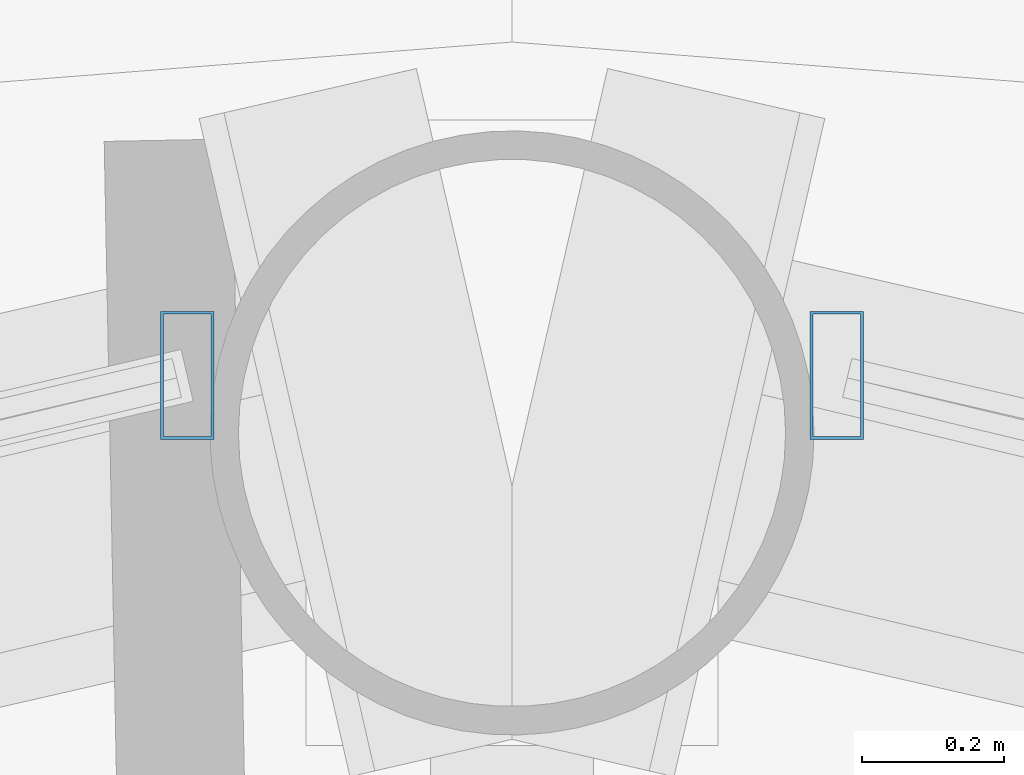
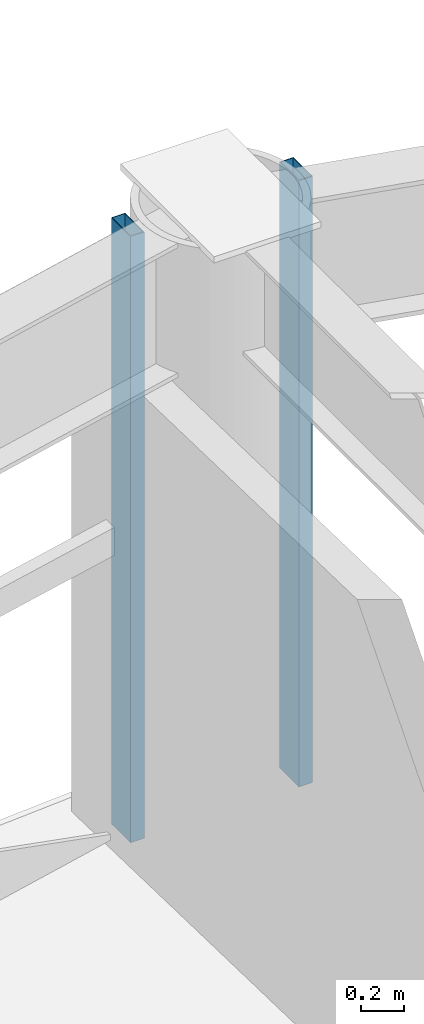
# One storey, part 17 of 33: 2 members, 2 elements without a shape of their own.
"""IFC4 building model written with IfcOpenShell, lengths in metres."""

from ifc_helpers import new_model, si_unit, direction, frame, origin, origin_2d, place, context, subcontext, project, spatial, hollow_rectangle, extrude, material, layer, layer_set, material_profile, profile_set, type_object, element, aggregate, save


model = new_model("IFC4")

# Units and contexts
model_context = context("Model", 3, precision=1e-05, world=origin(), true_north=direction((0.0, 1.0)))
body_context = subcontext(model_context, "Body", "Model", "MODEL_VIEW")
ifc_project = project(units=[si_unit("LENGTHUNIT", "METRE"), si_unit("AREAUNIT", "SQUARE_METRE"), si_unit("VOLUMEUNIT", "CUBIC_METRE"), si_unit("PLANEANGLEUNIT", "RADIAN"), si_unit("MASSUNIT", "GRAM", prefix="KILO")], contexts=[model_context])

# Site, building, storey
site_placement = place(None, origin())
site = spatial("IfcSite", under=ifc_project, at=site_placement, CompositionType="ELEMENT")
building_placement = place(site_placement, origin())
building = spatial("IfcBuilding", under=site, at=building_placement, Name="Vantalir Tower", CompositionType="ELEMENT")
storey_placement = place(building_placement, frame((0.0, 0.0, 72.0)))
storey = spatial("IfcBuildingStorey", under=building, at=storey_placement, Name="L17", CompositionType="ELEMENT", Elevation=72.0)

# Curtain wall, member
ifc_material_1 = material(Name="Champagne-silver PVDF aluminium and double-silver Low-E glass", Category="aluminium")
ifc_layer = layer(ifc_material_1, 0.18994140625)
ifc_layer_set = layer_set([ifc_layer], Name="Champagne-silver PVDF aluminium and double-silver Low-E glass")
curtain_wall_type = type_object("IfcCurtainWallType", Name="CW-DIAMOND-Z1", PredefinedType="USERDEFINED", material=ifc_layer_set)
curtain_wall_1_placement = place(storey_placement, origin())
curtain_wall_1 = element("IfcCurtainWall", 1, at=curtain_wall_1_placement, inside=storey, type_object=curtain_wall_type, Name="L17 Quilted Pyramid-Diamond Curtain Wall S03", ObjectType="UNITISED CURTAIN WALL", PredefinedType="USERDEFINED")
ifc_material_2 = material(Name="Champagne-silver PVDF aluminium 6063-T6", Category="aluminium")
ifc_material_profile = material_profile(ifc_material_2, hollow_rectangle(XDim=0.074951171875, YDim=0.179931640625, WallThickness=0.00390625, at=origin_2d()), Name="Champagne-silver PVDF aluminium 6063-T6")
ifc_profile_set = profile_set([ifc_material_profile], Name="Champagne-silver PVDF aluminium 6063-T6")
member_type = type_object("IfcMemberType", Name="CWM-180x75", PredefinedType="MULLION", material=ifc_profile_set)
member_1_placement = place(storey_placement, frame((31.95703125, 49.7099609375, 0.044921875), z_axis=(0.0, 0.0, 1.0), x_axis=(1.0, 0.0, 0.0)))
member_1 = element("IfcMember", 2, at=member_1_placement, type_object=member_type, Name="CW-L17-S03 Mullion 2", PredefinedType="MULLION", context=body_context, shape_type="SweptSolid", body=[
    extrude(hollow_rectangle(XDim=0.074951171875, YDim=0.179931640625, WallThickness=0.00390625, at=origin_2d()), origin(), (0.0, 0.0, 1.0), 3.47998046875),
])
aggregate(curtain_wall_1, [member_1])

curtain_wall_2_placement = place(storey_placement, origin())
curtain_wall_2 = element("IfcCurtainWall", 3, at=curtain_wall_2_placement, inside=storey, type_object=curtain_wall_type, Name="L17 Quilted Pyramid-Diamond Curtain Wall S04", ObjectType="UNITISED CURTAIN WALL", PredefinedType="USERDEFINED")
member_2_placement = place(storey_placement, frame((31.04296875, 49.7099609375, 0.044921875), z_axis=(0.0, 0.0, 1.0), x_axis=(1.0, 0.0, 0.0)))
member_2 = element("IfcMember", 4, at=member_2_placement, type_object=member_type, Name="CW-L17-S04 Mullion 1", PredefinedType="MULLION", context=body_context, shape_type="SweptSolid", body=[
    extrude(hollow_rectangle(XDim=0.074951171875, YDim=0.179931640625, WallThickness=0.00390625, at=origin_2d()), origin(), (0.0, 0.0, 1.0), 3.47998046875),
])
aggregate(curtain_wall_2, [member_2])

save(model, "model.ifc")
